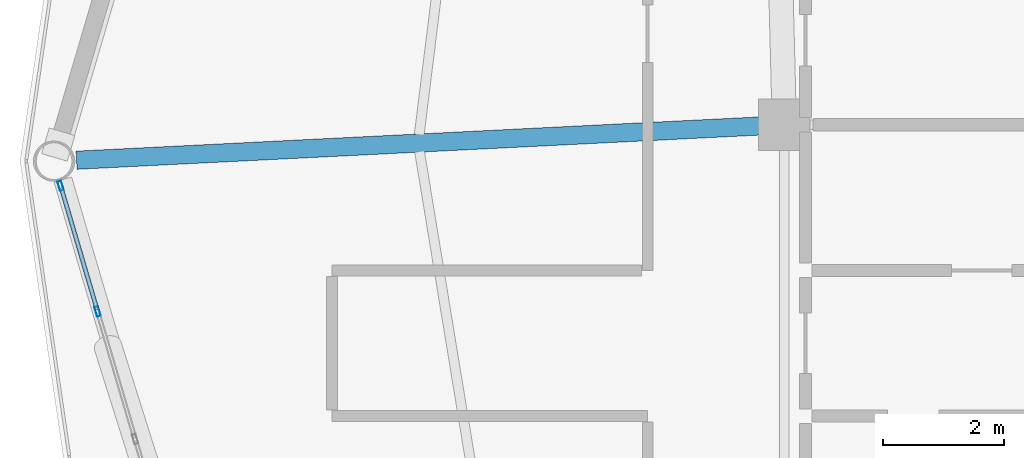
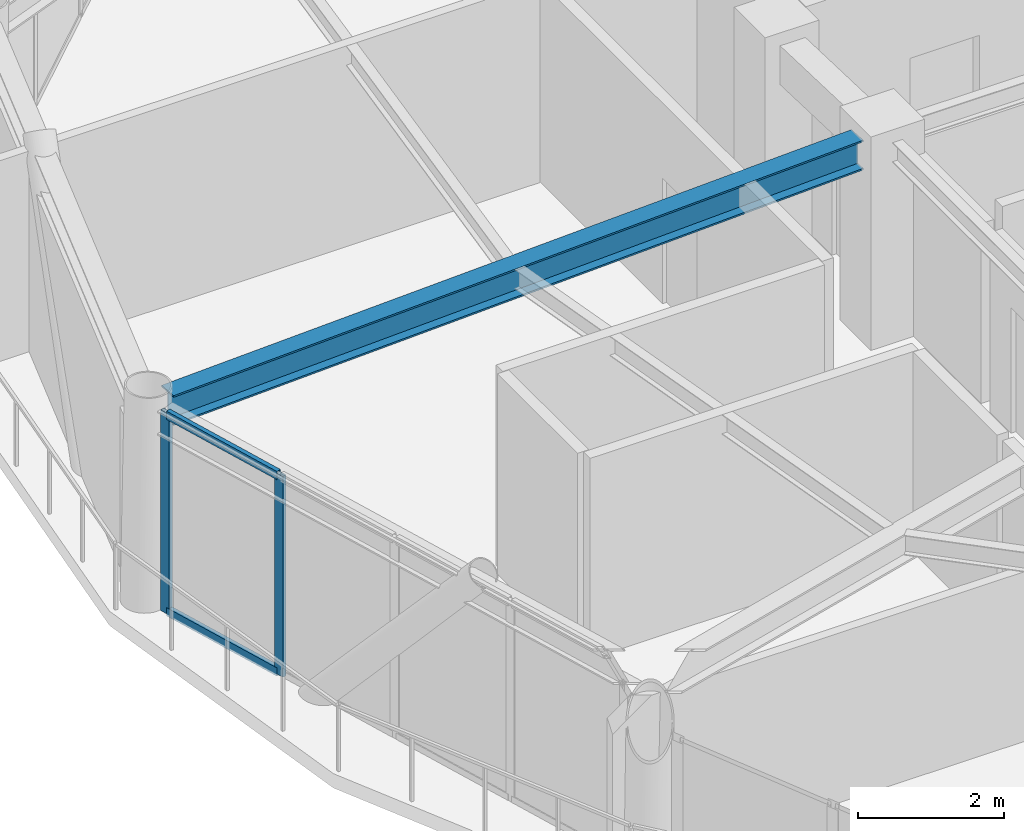
# One storey, part 11 of 28: 4 members, 1 beam, 1 element without a shape of its own.
"""IFC4 building model written with IfcOpenShell, lengths in metres."""

from ifc_helpers import new_model, si_unit, direction, frame, origin, origin_2d, place, context, subcontext, project, spatial, hollow_rectangle, i_section, extrude, material, layer, layer_set, material_profile, profile_set, type_object, element, aggregate, save


model = new_model("IFC4")

# Units and contexts
model_context = context("Model", 3, precision=1e-05, world=origin(), true_north=direction((0.0, 1.0)))
body_context = subcontext(model_context, "Body", "Model", "MODEL_VIEW")
ifc_project = project(units=[si_unit("LENGTHUNIT", "METRE"), si_unit("AREAUNIT", "SQUARE_METRE"), si_unit("VOLUMEUNIT", "CUBIC_METRE"), si_unit("PLANEANGLEUNIT", "RADIAN"), si_unit("MASSUNIT", "GRAM", prefix="KILO")], contexts=[model_context])

# Site, building, storey
site_placement = place(None, origin())
site = spatial("IfcSite", under=ifc_project, at=site_placement, CompositionType="ELEMENT")
building_placement = place(site_placement, origin())
building = spatial("IfcBuilding", under=site, at=building_placement, Name="Varnakorn Sky Granary", CompositionType="ELEMENT")
storey_placement = place(building_placement, frame((0.0, 0.0, 207.60009765625)))
storey = spatial("IfcBuildingStorey", under=building, at=storey_placement, Name="L52", CompositionType="ELEMENT", Elevation=207.60009765625)

# Beam
ifc_material_1 = material(Name="Steel S355JR", Category="steel")
ifc_material_profile_1 = material_profile(ifc_material_1, i_section(OverallWidth=0.300048828125, OverallDepth=0.5, WebThickness=0.014404296875, FlangeThickness=0.028076171875, at=origin_2d()), Name="HE 500 B")
ifc_profile_set_1 = profile_set([ifc_material_profile_1], Name="Steel S355JR")
beam_type = type_object("IfcBeamType", Name="BM-RAD-Z4", PredefinedType="BEAM", material=ifc_profile_set_1)
beam_placement = place(storey_placement, frame((-2.75439453125, 0.57958984375, 3.10986328125), z_axis=(-0.998747796094, -0.050028389908, 0.0), x_axis=(0.050028389908, -0.998747796094, 0.0)))
element("IfcBeam", 1, at=beam_placement, inside=storey, type_object=beam_type, Name="Radial Floor Girder RG07 L52", PredefinedType="BEAM", context=body_context, shape_type="SweptSolid", body=[
    extrude(i_section(OverallWidth=0.300048828125, OverallDepth=0.5, WebThickness=0.014404296875, FlangeThickness=0.028076171875, at=origin_2d()), origin(), (0.0, 0.0, 1.0), 11.26806640625),
])

# Curtain wall, members
ifc_material_2 = material(Name="Anodised Bronze Aluminium Alloy 6063-T6", Category="aluminium")
ifc_layer = layer(ifc_material_2, 0.169921875, Name="Anodised Bronze Aluminium Alloy 6063-T6")
ifc_layer_set = layer_set([ifc_layer], Name="Anodised Bronze Aluminium Alloy 6063-T6")
curtain_wall_type = type_object("IfcCurtainWallType", Name="CW-LAB-1", PredefinedType="USERDEFINED", material=ifc_layer_set)
curtain_wall_placement = place(storey_placement, origin())
curtain_wall = element("IfcCurtainWall", 2, at=curtain_wall_placement, inside=storey, type_object=curtain_wall_type, Name="Unitised Curtain Wall CW5 CW-L52-B07", ObjectType="CURTAIN WALL", PredefinedType="USERDEFINED")
ifc_material_profile_2 = material_profile(ifc_material_2, hollow_rectangle(XDim=0.06494140625, YDim=0.159912109375, WallThickness=0.00341796875, at=origin_2d()), Name="ALU MULL 65x160")
ifc_profile_set_2 = profile_set([ifc_material_profile_2], Name="Anodised Bronze Aluminium Alloy 6063-T6")
member_type_1 = type_object("IfcMemberType", Name="CW-LAB-1-MULL", PredefinedType="MULLION", material=ifc_profile_set_2)
member_1_placement = place(storey_placement, frame((-13.661376953125, -2.475830078125, 0.0), z_axis=(0.0, 0.0, 1.0), x_axis=(-0.959309517364, -0.282356600585, 0.0)))
member_1 = element("IfcMember", 3, at=member_1_placement, type_object=member_type_1, Name="CW5 mullion 4", PredefinedType="MULLION", context=body_context, shape_type="SweptSolid", body=[
    extrude(hollow_rectangle(XDim=0.06494140625, YDim=0.159912109375, WallThickness=0.00341796875, at=origin_2d()), origin(), (0.0, 0.0, 1.0), 3.35986328125),
])
member_2_placement = place(storey_placement, frame((-14.270751953125, -0.4052734375, 0.0), z_axis=(0.0, 0.0, 1.0), x_axis=(-0.959309517364, -0.282356600585, 0.0)))
member_2 = element("IfcMember", 4, at=member_2_placement, type_object=member_type_1, Name="CW5 mullion 5", PredefinedType="MULLION", context=body_context, shape_type="SweptSolid", body=[
    extrude(hollow_rectangle(XDim=0.06494140625, YDim=0.159912109375, WallThickness=0.00341796875, at=origin_2d()), origin(), (0.0, 0.0, 1.0), 3.35986328125),
])
ifc_material_profile_3 = material_profile(ifc_material_2, hollow_rectangle(XDim=0.070068359375, YDim=0.139892578125, WallThickness=0.00341796875, at=origin_2d()), Name="ALU TRAN 70x140")
ifc_profile_set_3 = profile_set([ifc_material_profile_3], Name="Anodised Bronze Aluminium Alloy 6063-T6")
member_type_2 = type_object("IfcMemberType", Name="CW-LAB-1-TRAN", PredefinedType="USERDEFINED", material=ifc_profile_set_3)
member_3_placement = place(storey_placement, frame((-13.67041015625, -2.444580078125, 0.034912109375), z_axis=(-0.282368382469, 0.959306049487, 0.0), x_axis=(-0.959306049487, -0.282368382469, 0.0)))
member_3 = element("IfcMember", 5, at=member_3_placement, type_object=member_type_2, Name="CW5 transom 4.1", ObjectType="TRANSOM", PredefinedType="USERDEFINED", context=body_context, shape_type="SweptSolid", body=[
    extrude(hollow_rectangle(XDim=0.070068359375, YDim=0.139892578125, WallThickness=0.00341796875, at=origin_2d()), origin(), (0.0, 0.0, 1.0), 2.09326171875),
])
member_4_placement = place(storey_placement, frame((-13.67041015625, -2.444580078125, 3.324951171875), z_axis=(-0.282368382469, 0.959306049487, 0.0), x_axis=(-0.959306049487, -0.282368382469, 0.0)))
member_4 = element("IfcMember", 6, at=member_4_placement, type_object=member_type_2, Name="CW5 transom 4.2", ObjectType="TRANSOM", PredefinedType="USERDEFINED", context=body_context, shape_type="SweptSolid", body=[
    extrude(hollow_rectangle(XDim=0.070068359375, YDim=0.139892578125, WallThickness=0.00341796875, at=origin_2d()), origin(), (0.0, 0.0, 1.0), 2.09326171875),
])
aggregate(curtain_wall, [member_1, member_2, member_3, member_4])

save(model, "model.ifc")
